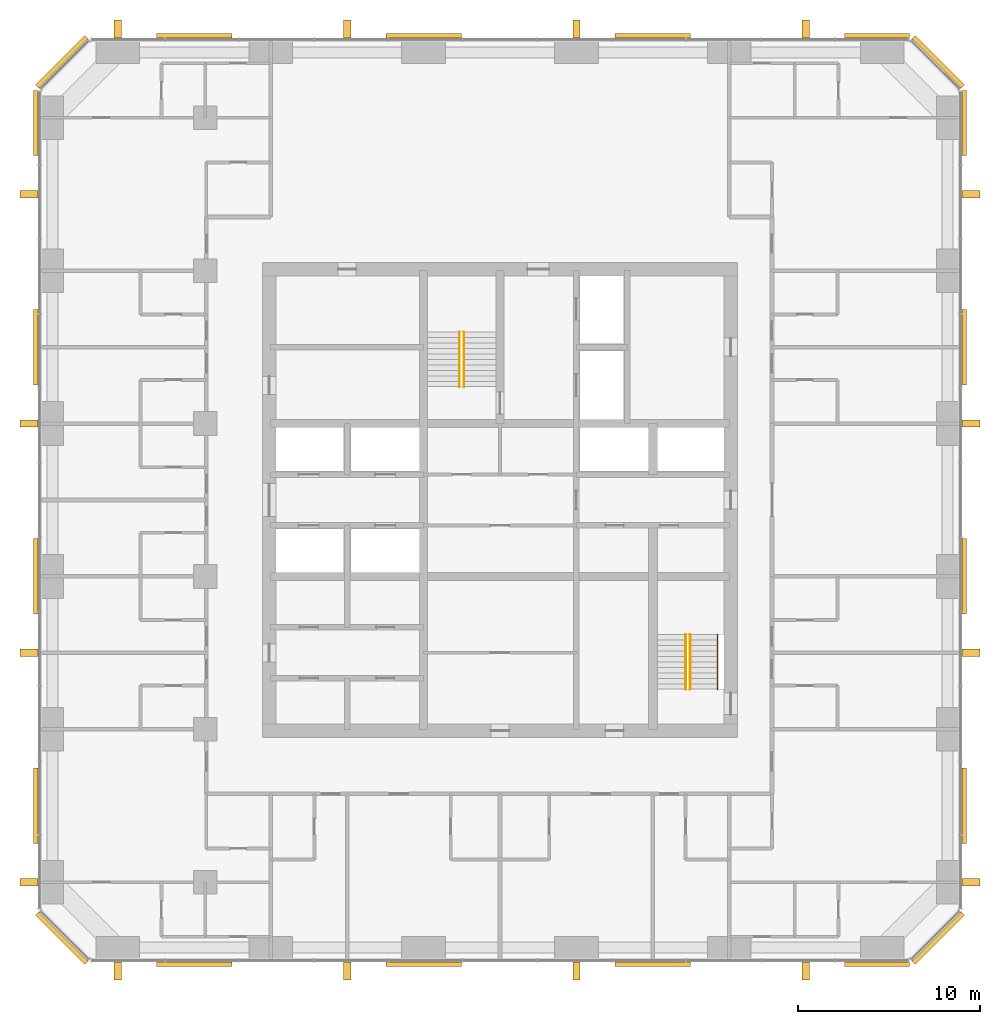
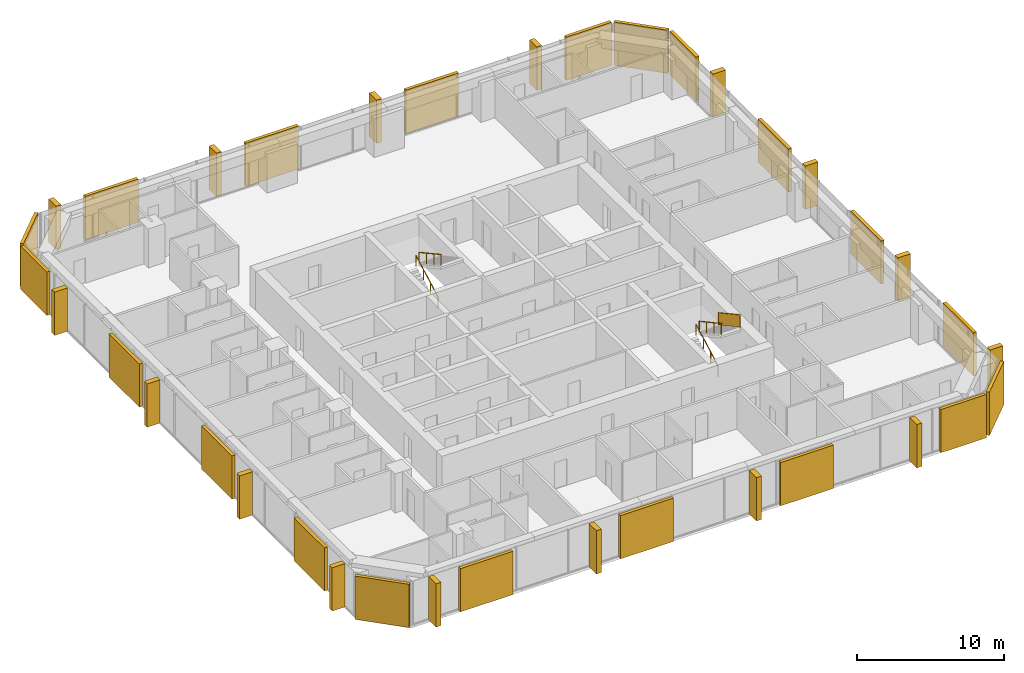
# One storey, part 13 of 13: 20 coverings, 16 shading devices, 5 railings.
"""IFC4 building model written with IfcOpenShell, lengths in metres."""

from ifc_helpers import new_model, si_unit, direction, frame, origin, origin_2d, place, context, subcontext, project, spatial, polyline, rectangle, circle, outline, extrude, material, layer, layer_set, type_object, element, save


model = new_model("IFC4")

# Units and contexts
model_context = context("Model", 3, precision=1e-05, world=origin(), true_north=direction((0.0, 1.0)))
body_context = subcontext(model_context, "Body", "Model", "MODEL_VIEW")
ifc_project = project(units=[si_unit("LENGTHUNIT", "METRE"), si_unit("AREAUNIT", "SQUARE_METRE"), si_unit("VOLUMEUNIT", "CUBIC_METRE"), si_unit("PLANEANGLEUNIT", "RADIAN"), si_unit("MASSUNIT", "GRAM", prefix="KILO")], contexts=[model_context])

# Site, building, storey
site_placement = place(None, origin())
site = spatial("IfcSite", under=ifc_project, at=site_placement, CompositionType="ELEMENT")
building_placement = place(site_placement, origin())
building = spatial("IfcBuilding", under=site, at=building_placement, Name="Dunama Terrace Hotel", CompositionType="ELEMENT")
storey_placement = place(building_placement, frame((0.0, 0.0, 169.800048828125)))
storey = spatial("IfcBuildingStorey", under=building, at=storey_placement, Name="L43", CompositionType="ELEMENT", Elevation=169.800048828125)

# Railings
ifc_material_1 = material(Name="Stainless steel and laminated glass guard", Category="steel")
railing_type_1 = type_object("IfcRailingType", Name="Guard 1100", PredefinedType="GUARDRAIL", material=ifc_material_1)
railing_1_placement = place(storey_placement, frame((41.35009765625, 22.0, 1.963623046875)))
element("IfcRailing", 1, at=railing_1_placement, inside=storey, type_object=railing_type_1, Name="Stair guard ST2 L43", PredefinedType="GUARDRAIL", context=body_context, shape_type="SweptSolid", body=[
    extrude(circle(Radius=0.02392578125, at=origin_2d()), frame((0.0, 0.0, 1.076171875), z_axis=(0.0, -0.877911954615, 0.47882209634), x_axis=(1.0, 0.0, 0.0)), (0.0, 0.0, 1.0), 3.417236328125),
    extrude(circle(Radius=0.02099609375, at=origin_2d()), origin(), (0.0, 0.0, 1.0), 1.052001953125),
    extrude(circle(Radius=0.02099609375, at=origin_2d()), frame((0.0, -1.0, 0.54541015625)), (0.0, 0.0, 1.0), 1.052001953125),
    extrude(circle(Radius=0.02099609375, at=origin_2d()), frame((0.0, -2.0, 1.0908203125)), (0.0, 0.0, 1.0), 1.052001953125),
    extrude(circle(Radius=0.02099609375, at=origin_2d()), frame((0.0, -3.0, 1.63623046875)), (0.0, 0.0, 1.0), 1.052001953125),
    extrude(outline(polyline([(0.0048828125, 0.052734375), (0.9951171875, 0.5927734375), (0.9951171875, 1.618896484375), (0.0048828125, 1.07861328125), (0.0048828125, 0.052734375)])), frame((0.0087890625, 0.0, 0.0), z_axis=(-1.0, 0.0, 0.0), x_axis=(0.0, -1.0, 0.0)), (0.0, 0.0, 1.0), 0.017578125),
    extrude(outline(polyline([(0.0048828125, 0.052734375), (0.9951171875, 0.5927734375), (0.9951171875, 1.618896484375), (0.0048828125, 1.07861328125), (0.0048828125, 0.052734375)])), frame((0.0087890625, -1.0, 0.54541015625), z_axis=(-1.0, 0.0, 0.0), x_axis=(0.0, -1.0, 0.0)), (0.0, 0.0, 1.0), 0.017578125),
    extrude(outline(polyline([(0.0048828125, 0.052734375), (0.9951171875, 0.5927734375), (0.9951171875, 1.618896484375), (0.0048828125, 1.07861328125), (0.0048828125, 0.052734375)])), frame((0.0087890625, -2.0, 1.0908203125), z_axis=(-1.0, 0.0, 0.0), x_axis=(0.0, -1.0, 0.0)), (0.0, 0.0, 1.0), 0.017578125),
])
ifc_material_2 = material(Name="Stainless steel handrail", Category="steel")
railing_type_2 = type_object("IfcRailingType", Name="Stair handrail 900", PredefinedType="HANDRAIL", material=ifc_material_2)
railing_2_placement = place(storey_placement, frame((27.175048828125, 35.625, 0.16357421875)))
element("IfcRailing", 2, at=railing_2_placement, inside=storey, type_object=railing_type_2, Name="Handrail ST1 L43", PredefinedType="HANDRAIL", context=body_context, shape_type="SweptSolid", body=[
    extrude(circle(Radius=0.02392578125, at=origin_2d()), frame((0.0, 0.0, 0.8759765625), z_axis=(0.0, 0.877881921179, 0.478877158013), x_axis=(-1.0, 0.0, 0.0)), (0.0, 0.0, 1.0), 3.417236328125),
    extrude(circle(Radius=0.02099609375, at=origin_2d()), origin(), (0.0, 0.0, 1.0), 0.851806640625),
    extrude(circle(Radius=0.02099609375, at=origin_2d()), frame((0.0, 1.0, 0.54541015625)), (0.0, 0.0, 1.0), 0.851806640625),
    extrude(circle(Radius=0.02099609375, at=origin_2d()), frame((0.0, 2.0, 1.091064453125)), (0.0, 0.0, 1.0), 0.851806640625),
    extrude(circle(Radius=0.02099609375, at=origin_2d()), frame((0.0, 3.0, 1.636474609375)), (0.0, 0.0, 1.0), 0.851806640625),
])
railing_3_placement = place(storey_placement, frame((27.425048828125, 38.625, 1.963623046875)))
element("IfcRailing", 3, at=railing_3_placement, inside=storey, type_object=railing_type_2, Name="Handrail ST1 L43", PredefinedType="HANDRAIL", context=body_context, shape_type="SweptSolid", body=[
    extrude(circle(Radius=0.02392578125, at=origin_2d()), frame((0.0, 0.0, 0.8759765625), z_axis=(0.0, -0.877911954615, 0.47882209634), x_axis=(1.0, 0.0, 0.0)), (0.0, 0.0, 1.0), 3.417236328125),
    extrude(circle(Radius=0.02099609375, at=origin_2d()), origin(), (0.0, 0.0, 1.0), 0.851806640625),
    extrude(circle(Radius=0.02099609375, at=origin_2d()), frame((0.0, -1.0, 0.54541015625)), (0.0, 0.0, 1.0), 0.851806640625),
    extrude(circle(Radius=0.02099609375, at=origin_2d()), frame((0.0, -2.0, 1.0908203125)), (0.0, 0.0, 1.0), 0.851806640625),
    extrude(circle(Radius=0.02099609375, at=origin_2d()), frame((0.0, -3.0, 1.63623046875)), (0.0, 0.0, 1.0), 0.851806640625),
])
railing_4_placement = place(storey_placement, frame((39.60009765625, 19.0, 0.16357421875)))
element("IfcRailing", 4, at=railing_4_placement, inside=storey, type_object=railing_type_2, Name="Handrail ST2 L43", PredefinedType="HANDRAIL", context=body_context, shape_type="SweptSolid", body=[
    extrude(circle(Radius=0.02392578125, at=origin_2d()), frame((0.0, 0.0, 0.8759765625), z_axis=(0.0, 0.877881921179, 0.478877158013), x_axis=(-1.0, 0.0, 0.0)), (0.0, 0.0, 1.0), 3.417236328125),
    extrude(circle(Radius=0.02099609375, at=origin_2d()), origin(), (0.0, 0.0, 1.0), 0.851806640625),
    extrude(circle(Radius=0.02099609375, at=origin_2d()), frame((0.0, 1.0, 0.54541015625)), (0.0, 0.0, 1.0), 0.851806640625),
    extrude(circle(Radius=0.02099609375, at=origin_2d()), frame((0.0, 2.0, 1.091064453125)), (0.0, 0.0, 1.0), 0.851806640625),
    extrude(circle(Radius=0.02099609375, at=origin_2d()), frame((0.0, 3.0, 1.636474609375)), (0.0, 0.0, 1.0), 0.851806640625),
])
railing_5_placement = place(storey_placement, frame((39.85009765625, 22.0, 1.963623046875)))
element("IfcRailing", 5, at=railing_5_placement, inside=storey, type_object=railing_type_2, Name="Handrail ST2 L43", PredefinedType="HANDRAIL", context=body_context, shape_type="SweptSolid", body=[
    extrude(circle(Radius=0.02392578125, at=origin_2d()), frame((0.0, 0.0, 0.8759765625), z_axis=(0.0, -0.877911954615, 0.47882209634), x_axis=(1.0, 0.0, 0.0)), (0.0, 0.0, 1.0), 3.417236328125),
    extrude(circle(Radius=0.02099609375, at=origin_2d()), origin(), (0.0, 0.0, 1.0), 0.851806640625),
    extrude(circle(Radius=0.02099609375, at=origin_2d()), frame((0.0, -1.0, 0.54541015625)), (0.0, 0.0, 1.0), 0.851806640625),
    extrude(circle(Radius=0.02099609375, at=origin_2d()), frame((0.0, -2.0, 1.0908203125)), (0.0, 0.0, 1.0), 0.851806640625),
    extrude(circle(Radius=0.02099609375, at=origin_2d()), frame((0.0, -3.0, 1.63623046875)), (0.0, 0.0, 1.0), 0.851806640625),
])

# Coverings
ifc_material_3 = material(Name="Warm reconstituted stone panel", Category="masonry")
ifc_layer_1 = layer(ifc_material_3, 0.25)
ifc_layer_set_1 = layer_set([ifc_layer_1], Name="Stone diagonal panel")
covering_type = type_object("IfcCoveringType", Name="Stone diagonal panel", PredefinedType="CLADDING", material=ifc_layer_set_1)
for number, where, z_axis, x_axis, name in (
    (6, (12.60009765625, 3.876953125, 0.001953125), (0.0, 0.0, 1.0), (1.0, 0.0, 0.0), "Stone diagonal panel L43"),
    (7, (25.199951171875, 3.876953125, 0.001953125), (0.0, 0.0, 1.0), (1.0, 0.0, 0.0), "Stone diagonal panel L43"),
    (8, (37.800048828125, 3.876953125, 0.001953125), (0.0, 0.0, 1.0), (1.0, 0.0, 0.0), "Stone diagonal panel L43"),
):
    element("IfcCovering", number, at=place(storey_placement, frame(where, z_axis=z_axis, x_axis=x_axis)), inside=storey, type_object=covering_type, Name=name, PredefinedType="CLADDING", context=body_context, shape_type="SweptSolid", body=[
        extrude(rectangle(XDim=4.14990234375, YDim=0.25, at=origin_2d()), origin(), (0.0, 0.0, 1.0), 3.595947265625),
    ])
covering_1_placement = place(storey_placement, frame((50.110107421875, 3.876953125, 0.001953125), z_axis=(0.0, 0.0, 1.0), x_axis=(1.0, 0.0, 0.0)))
element("IfcCovering", 9, at=covering_1_placement, inside=storey, type_object=covering_type, Name="Stone diagonal panel L43", PredefinedType="CLADDING", context=body_context, shape_type="SweptSolid", body=[
    extrude(rectangle(XDim=3.570068359375, YDim=0.25, at=origin_2d()), origin(), (0.0, 0.0, 1.0), 3.595947265625),
])
covering_2_placement = place(storey_placement, frame((53.47900390625, 5.321044921875, 0.001953125), z_axis=(0.0, 0.0, 1.0), x_axis=(0.707106781187, 0.707106781187, 0.0)))
element("IfcCovering", 10, at=covering_2_placement, inside=storey, type_object=covering_type, Name="Stone diagonal panel L43", PredefinedType="CLADDING", context=body_context, shape_type="SweptSolid", body=[
    extrude(rectangle(XDim=3.808349609375, YDim=0.25, at=origin_2d()), origin(), (0.0, 0.0, 1.0), 3.595947265625),
])
for number, where, z_axis, x_axis, name in (
    (11, (54.923095703125, 12.60009765625, 0.001953125), (0.0, 0.0, 1.0), (0.0, 1.0, 0.0), "Stone diagonal panel L43"),
    (12, (54.923095703125, 25.199951171875, 0.001953125), (0.0, 0.0, 1.0), (0.0, 1.0, 0.0), "Stone diagonal panel L43"),
    (13, (54.923095703125, 37.800048828125, 0.001953125), (0.0, 0.0, 1.0), (0.0, 1.0, 0.0), "Stone diagonal panel L43"),
):
    element("IfcCovering", number, at=place(storey_placement, frame(where, z_axis=z_axis, x_axis=x_axis)), inside=storey, type_object=covering_type, Name=name, PredefinedType="CLADDING", context=body_context, shape_type="SweptSolid", body=[
        extrude(rectangle(XDim=4.14990234375, YDim=0.25, at=origin_2d()), origin(), (0.0, 0.0, 1.0), 3.595947265625),
    ])
covering_3_placement = place(storey_placement, frame((54.923095703125, 50.110107421875, 0.001953125), z_axis=(0.0, 0.0, 1.0), x_axis=(0.0, 1.0, 0.0)))
element("IfcCovering", 14, at=covering_3_placement, inside=storey, type_object=covering_type, Name="Stone diagonal panel L43", PredefinedType="CLADDING", context=body_context, shape_type="SweptSolid", body=[
    extrude(rectangle(XDim=3.570068359375, YDim=0.25, at=origin_2d()), origin(), (0.0, 0.0, 1.0), 3.595947265625),
])
covering_4_placement = place(storey_placement, frame((53.47900390625, 53.47900390625, 0.001953125), z_axis=(0.0, 0.0, 1.0), x_axis=(-0.707106781187, 0.707106781187, 0.0)))
element("IfcCovering", 15, at=covering_4_placement, inside=storey, type_object=covering_type, Name="Stone diagonal panel L43", PredefinedType="CLADDING", context=body_context, shape_type="SweptSolid", body=[
    extrude(rectangle(XDim=3.808349609375, YDim=0.25, at=origin_2d()), origin(), (0.0, 0.0, 1.0), 3.595947265625),
])
covering_5_placement = place(storey_placement, frame((50.110107421875, 54.923095703125, 0.001953125), z_axis=(0.0, 0.0, 1.0), x_axis=(-1.0, 0.0, 0.0)))
element("IfcCovering", 16, at=covering_5_placement, inside=storey, type_object=covering_type, Name="Stone diagonal panel L43", PredefinedType="CLADDING", context=body_context, shape_type="SweptSolid", body=[
    extrude(rectangle(XDim=3.570068359375, YDim=0.25, at=origin_2d()), origin(), (0.0, 0.0, 1.0), 3.595947265625),
])
for number, where, z_axis, x_axis, name in (
    (17, (37.800048828125, 54.923095703125, 0.001953125), (0.0, 0.0, 1.0), (-1.0, 0.0, 0.0), "Stone diagonal panel L43"),
    (18, (25.199951171875, 54.923095703125, 0.001953125), (0.0, 0.0, 1.0), (-1.0, 0.0, 0.0), "Stone diagonal panel L43"),
    (19, (12.60009765625, 54.923095703125, 0.001953125), (0.0, 0.0, 1.0), (-1.0, 0.0, 0.0), "Stone diagonal panel L43"),
):
    element("IfcCovering", number, at=place(storey_placement, frame(where, z_axis=z_axis, x_axis=x_axis)), inside=storey, type_object=covering_type, Name=name, PredefinedType="CLADDING", context=body_context, shape_type="SweptSolid", body=[
        extrude(rectangle(XDim=4.14990234375, YDim=0.25, at=origin_2d()), origin(), (0.0, 0.0, 1.0), 3.595947265625),
    ])
covering_6_placement = place(storey_placement, frame((5.321044921875, 53.47900390625, 0.001953125), z_axis=(0.0, 0.0, 1.0), x_axis=(-0.707106781187, -0.707106781187, 0.0)))
element("IfcCovering", 20, at=covering_6_placement, inside=storey, type_object=covering_type, Name="Stone diagonal panel L43", PredefinedType="CLADDING", context=body_context, shape_type="SweptSolid", body=[
    extrude(rectangle(XDim=3.808349609375, YDim=0.25, at=origin_2d()), origin(), (0.0, 0.0, 1.0), 3.595947265625),
])
covering_7_placement = place(storey_placement, frame((3.876953125, 50.110107421875, 0.001953125), z_axis=(0.0, 0.0, 1.0), x_axis=(0.0, -1.0, 0.0)))
element("IfcCovering", 21, at=covering_7_placement, inside=storey, type_object=covering_type, Name="Stone diagonal panel L43", PredefinedType="CLADDING", context=body_context, shape_type="SweptSolid", body=[
    extrude(rectangle(XDim=3.570068359375, YDim=0.25, at=origin_2d()), origin(), (0.0, 0.0, 1.0), 3.595947265625),
])
for number, where, z_axis, x_axis, name in (
    (22, (3.876953125, 37.800048828125, 0.001953125), (0.0, 0.0, 1.0), (0.0, -1.0, 0.0), "Stone diagonal panel L43"),
    (23, (3.876953125, 25.199951171875, 0.001953125), (0.0, 0.0, 1.0), (0.0, -1.0, 0.0), "Stone diagonal panel L43"),
    (24, (3.876953125, 12.60009765625, 0.001953125), (0.0, 0.0, 1.0), (0.0, -1.0, 0.0), "Stone diagonal panel L43"),
):
    element("IfcCovering", number, at=place(storey_placement, frame(where, z_axis=z_axis, x_axis=x_axis)), inside=storey, type_object=covering_type, Name=name, PredefinedType="CLADDING", context=body_context, shape_type="SweptSolid", body=[
        extrude(rectangle(XDim=4.14990234375, YDim=0.25, at=origin_2d()), origin(), (0.0, 0.0, 1.0), 3.595947265625),
    ])
covering_8_placement = place(storey_placement, frame((5.321044921875, 5.321044921875, 0.001953125), z_axis=(0.0, 0.0, 1.0), x_axis=(0.707106781187, -0.707106781187, 0.0)))
element("IfcCovering", 25, at=covering_8_placement, inside=storey, type_object=covering_type, Name="Stone diagonal panel L43", PredefinedType="CLADDING", context=body_context, shape_type="SweptSolid", body=[
    extrude(rectangle(XDim=3.808349609375, YDim=0.25, at=origin_2d()), origin(), (0.0, 0.0, 1.0), 3.595947265625),
])

# Shading devices
ifc_material_4 = material(Name="Warm reconstituted stone fin", Category="masonry")
ifc_layer_2 = layer(ifc_material_4, 0.39990234375)
ifc_layer_set_2 = layer_set([ifc_layer_2], Name="Warm stone fin 400x1000")
shading_device_type = type_object("IfcShadingDeviceType", Name="Warm stone fin 400x1000", PredefinedType="USERDEFINED", material=ifc_layer_set_2)
for number, where, z_axis, x_axis, name in (
    (26, (8.39990234375, 3.52197265625, 0.0), (0.0, 0.0, 1.0), (1.0, 0.0, 0.0), "Stone fin"),
    (27, (21.0, 3.52197265625, 0.0), (0.0, 0.0, 1.0), (1.0, 0.0, 0.0), "Stone fin"),
    (28, (33.60009765625, 3.52197265625, 0.0), (0.0, 0.0, 1.0), (1.0, 0.0, 0.0), "Stone fin"),
    (29, (46.199951171875, 3.52197265625, 0.0), (0.0, 0.0, 1.0), (1.0, 0.0, 0.0), "Stone fin"),
    (30, (55.278076171875, 8.39990234375, 0.0), (0.0, 0.0, 1.0), (0.0, 1.0, 0.0), "Stone fin"),
    (31, (55.278076171875, 21.0, 0.0), (0.0, 0.0, 1.0), (0.0, 1.0, 0.0), "Stone fin"),
    (32, (55.278076171875, 33.60009765625, 0.0), (0.0, 0.0, 1.0), (0.0, 1.0, 0.0), "Stone fin"),
    (33, (55.278076171875, 46.199951171875, 0.0), (0.0, 0.0, 1.0), (0.0, 1.0, 0.0), "Stone fin"),
    (34, (46.199951171875, 55.278076171875, 0.0), (0.0, 0.0, 1.0), (-1.0, 0.0, 0.0), "Stone fin"),
    (35, (33.60009765625, 55.278076171875, 0.0), (0.0, 0.0, 1.0), (-1.0, 0.0, 0.0), "Stone fin"),
    (36, (21.0, 55.278076171875, 0.0), (0.0, 0.0, 1.0), (-1.0, 0.0, 0.0), "Stone fin"),
    (37, (8.39990234375, 55.278076171875, 0.0), (0.0, 0.0, 1.0), (-1.0, 0.0, 0.0), "Stone fin"),
    (38, (3.52197265625, 46.199951171875, 0.0), (0.0, 0.0, 1.0), (0.0, -1.0, 0.0), "Stone fin"),
    (39, (3.52197265625, 33.60009765625, 0.0), (0.0, 0.0, 1.0), (0.0, -1.0, 0.0), "Stone fin"),
    (40, (3.52197265625, 21.0, 0.0), (0.0, 0.0, 1.0), (0.0, -1.0, 0.0), "Stone fin"),
    (41, (3.52197265625, 8.39990234375, 0.0), (0.0, 0.0, 1.0), (0.0, -1.0, 0.0), "Stone fin"),
):
    element("IfcShadingDevice", number, at=place(storey_placement, frame(where, z_axis=z_axis, x_axis=x_axis)), inside=storey, type_object=shading_device_type, Name=name, ObjectType="FIN", PredefinedType="USERDEFINED", context=body_context, shape_type="SweptSolid", body=[
        extrude(rectangle(XDim=0.39990234375, YDim=1.0, at=origin_2d()), origin(), (0.0, 0.0, 1.0), 3.60009765625),
    ])

save(model, "model.ifc")
